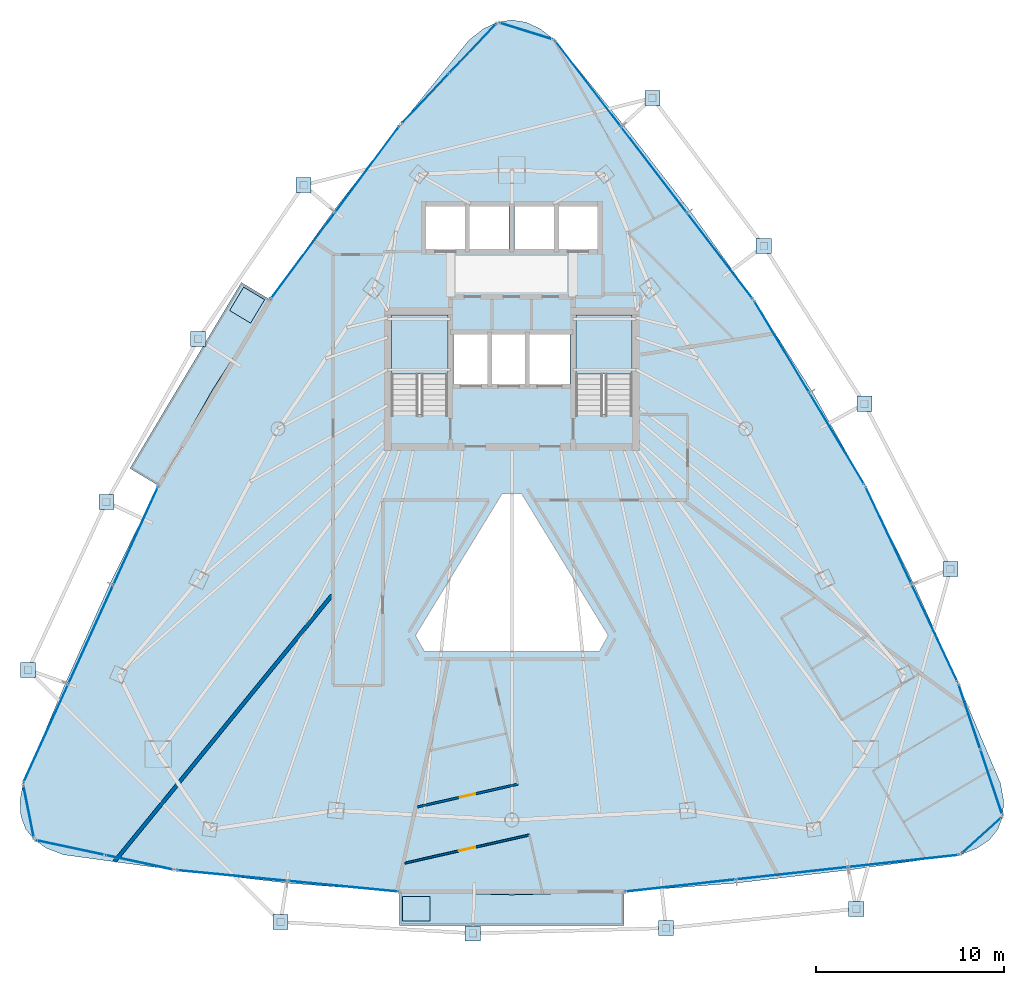
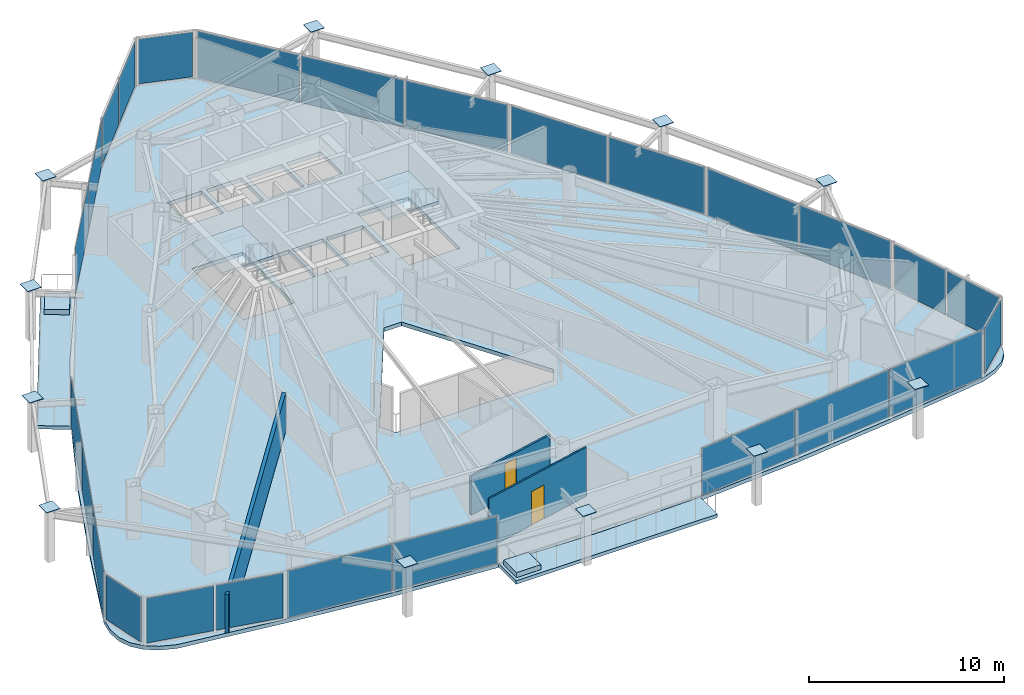
# One storey, part 27 of 33: 38 plates, 7 slabs, 3 walls, 2 doors, 2 openings, 15 elements without a shape of their own.
"""IFC4 building model written with IfcOpenShell, lengths in metres."""

from ifc_helpers import new_model, si_unit, direction, frame, frame_2d, origin, origin_2d, place, context, subcontext, project, spatial, polyline, rectangle, outline, extrude, material, layer, layer_set, type_object, element, fill, aggregate, save


model = new_model("IFC4")

# Units and contexts
model_context = context("Model", 3, precision=1e-05, world=origin(), true_north=direction((0.0, 1.0)))
body_context = subcontext(model_context, "Body", "Model", "MODEL_VIEW")
ifc_project = project(units=[si_unit("LENGTHUNIT", "METRE"), si_unit("AREAUNIT", "SQUARE_METRE"), si_unit("VOLUMEUNIT", "CUBIC_METRE"), si_unit("PLANEANGLEUNIT", "RADIAN"), si_unit("MASSUNIT", "GRAM", prefix="KILO")], contexts=[model_context])

# Site, building, storey
site_placement = place(None, origin())
site = spatial("IfcSite", under=ifc_project, at=site_placement, CompositionType="ELEMENT")
building_placement = place(site_placement, origin())
building = spatial("IfcBuilding", under=site, at=building_placement, Name="Orvanel Arch Residences", CompositionType="ELEMENT")
storey_placement = place(building_placement, frame((0.0, 0.0, 123.199951171875)))
storey = spatial("IfcBuildingStorey", under=building, at=storey_placement, Name="L34", CompositionType="ELEMENT", Elevation=123.199951171875)

# Plates
ifc_material_1 = material(Name="Structural steel AS/NZS 3678 Grade 350", Category="steel")
ifc_layer_1 = layer(ifc_material_1, 0.031982421875)
ifc_layer_set_1 = layer_set([ifc_layer_1], Name="Structural steel AS/NZS 3678 Grade 350")
plate_type_1 = type_object("IfcPlateType", Name="PL-CAP-32", PredefinedType="SHEET", material=ifc_layer_set_1)
for number, where, z_axis, x_axis, name in (
    (1, (21.929931640625, 40.595947265625, 3.2841796875), (0.0, 0.0, 1.0), (1.0, 0.0, 0.0), "L34 hollow member end cap plate"),
    (2, (16.327880859375, 32.4208984375, 3.2841796875), (0.0, 0.0, 1.0), (1.0, 0.0, 0.0), "L34 hollow member end cap plate"),
    (3, (11.449951171875, 23.757080078125, 3.2841796875), (0.0, 0.0, 1.0), (1.0, 0.0, 0.0), "L34 hollow member end cap plate"),
    (4, (7.29296875, 14.830078125, 3.2841796875), (0.0, 0.0, 1.0), (1.0, 0.0, 0.0), "L34 hollow member end cap plate"),
    (5, (20.70703125, 1.424072265625, 3.2841796875), (0.0, 0.0, 1.0), (1.0, 0.0, 0.0), "L34 hollow member end cap plate"),
    (6, (30.924072265625, 0.825927734375, 3.2841796875), (0.0, 0.0, 1.0), (1.0, 0.0, 0.0), "L34 hollow member end cap plate"),
    (7, (41.18701171875, 1.09912109375, 3.2841796875), (0.0, 0.0, 1.0), (1.0, 0.0, 0.0), "L34 hollow member end cap plate"),
    (8, (51.30908203125, 2.125, 3.2841796875), (0.0, 0.0, 1.0), (1.0, 0.0, 0.0), "L34 hollow member end cap plate"),
    (9, (56.31494140625, 20.181884765625, 3.2841796875), (0.0, 0.0, 1.0), (1.0, 0.0, 0.0), "L34 hollow member end cap plate"),
    (10, (51.739990234375, 28.972900390625, 3.2841796875), (0.0, 0.0, 1.0), (1.0, 0.0, 0.0), "L34 hollow member end cap plate"),
    (11, (46.39208984375, 37.35595703125, 3.2841796875), (0.0, 0.0, 1.0), (1.0, 0.0, 0.0), "L34 hollow member end cap plate"),
    (12, (40.47412109375, 45.22607421875, 3.2841796875), (0.0, 0.0, 1.0), (1.0, 0.0, 0.0), "L34 hollow member end cap plate"),
):
    element("IfcPlate", number, at=place(storey_placement, frame(where, z_axis=z_axis, x_axis=x_axis)), inside=storey, type_object=plate_type_1, Name=name, PredefinedType="SHEET", context=body_context, shape_type="SweptSolid", body=[
        extrude(rectangle(XDim=0.800048828125, YDim=0.800048828125, at=origin_2d()), origin(), (0.0, 0.0, 1.0), 0.031982421875),
    ])

# Curtain wall, plates
ifc_material_2 = material(Name="Bronze-anodised aluminium AA6063-T6", Category="aluminium")
ifc_layer_2 = layer(ifc_material_2, 0.179931640625)
ifc_layer_set_2 = layer_set([ifc_layer_2], Name="Bronze-anodised aluminium AA6063-T6")
curtain_wall_type_1 = type_object("IfcCurtainWallType", Name="CW3-MID-SYS", PredefinedType="NOTDEFINED", material=ifc_layer_set_2)
curtain_wall_1_placement = place(storey_placement, origin())
curtain_wall_1 = element("IfcCurtainWall", 13, at=curtain_wall_1_placement, inside=storey, type_object=curtain_wall_type_1, Name="L34 CW3-MID-SYS Unitised Curtain Wall", PredefinedType="NOTDEFINED")
ifc_material_3 = material(Name="Double-glazed solar-control low-E safety glass", Category="glass")
ifc_layer_3 = layer(ifc_material_3, 0.028076171875)
ifc_layer_set_3 = layer_set([ifc_layer_3], Name="Double-glazed solar-control low-E safety glass")
plate_type_2 = type_object("IfcPlateType", Name="PNL-GLZ-28", PredefinedType="CURTAIN_PANEL", material=ifc_layer_set_3)
plate_1_placement = place(storey_placement, frame((25.31982421875, 41.446044921875, 0.06005859375), z_axis=(0.0, 0.0, 1.0), x_axis=(-0.59716769739, -0.802116413742, 0.0)))
plate_1 = element("IfcPlate", 14, at=plate_1_placement, type_object=plate_type_2, Name="CW-S3 panel 1.1", PredefinedType="CURTAIN_PANEL", context=body_context, shape_type="SweptSolid", body=[
    extrude(rectangle(XDim=5.664794921875, YDim=0.028076171875, at=origin_2d()), origin(), (0.0, 0.0, 1.0), 2.93994140625),
])
plate_2_placement = place(storey_placement, frame((21.895263671875, 36.845947265625, 0.06005859375), z_axis=(0.0, 0.0, 1.0), x_axis=(-0.59716769739, -0.802116413742, 0.0)))
plate_2 = element("IfcPlate", 15, at=plate_2_placement, type_object=plate_type_2, Name="CW-S3 panel 2.1", PredefinedType="CURTAIN_PANEL", context=body_context, shape_type="SweptSolid", body=[
    extrude(rectangle(XDim=5.664794921875, YDim=0.028076171875, at=origin_2d()), origin(), (0.0, 0.0, 1.0), 2.93994140625),
])
aggregate(curtain_wall_1, [plate_1, plate_2])

curtain_wall_2_placement = place(storey_placement, origin())
curtain_wall_2 = element("IfcCurtainWall", 16, at=curtain_wall_2_placement, inside=storey, type_object=curtain_wall_type_1, Name="L34 CW3-MID-SYS Unitised Curtain Wall", PredefinedType="NOTDEFINED")
plate_3_placement = place(storey_placement, frame((13.010009765625, 21.955322265625, 0.06005859375), z_axis=(0.0, 0.0, 1.0), x_axis=(-0.414115489097, -0.9102243469, 0.0)))
plate_3 = element("IfcPlate", 17, at=plate_3_placement, type_object=plate_type_2, Name="CW-S3 panel 1.1", PredefinedType="CURTAIN_PANEL", context=body_context, shape_type="SweptSolid", body=[
    extrude(rectangle(XDim=5.679931640625, YDim=0.028076171875, at=origin_2d()), origin(), (0.0, 0.0, 1.0), 2.93994140625),
])
plate_4_placement = place(storey_placement, frame((10.62158203125, 16.70556640625, 0.06005859375), z_axis=(0.0, 0.0, 1.0), x_axis=(-0.414115489097, -0.9102243469, 0.0)))
plate_4 = element("IfcPlate", 18, at=plate_4_placement, type_object=plate_type_2, Name="CW-S3 panel 2.1", PredefinedType="CURTAIN_PANEL", context=body_context, shape_type="SweptSolid", body=[
    extrude(rectangle(XDim=5.715087890625, YDim=0.028076171875, at=origin_2d()), origin(), (0.0, 0.0, 1.0), 2.93994140625),
])
plate_5_placement = place(storey_placement, frame((8.233154296875, 11.455810546875, 0.06005859375), z_axis=(0.0, 0.0, 1.0), x_axis=(-0.414115489097, -0.9102243469, 0.0)))
plate_5 = element("IfcPlate", 19, at=plate_5_placement, type_object=plate_type_2, Name="CW-S3 panel 3.1", PredefinedType="CURTAIN_PANEL", context=body_context, shape_type="SweptSolid", body=[
    extrude(rectangle(XDim=5.679931640625, YDim=0.028076171875, at=origin_2d()), origin(), (0.0, 0.0, 1.0), 2.93994140625),
])
aggregate(curtain_wall_2, [plate_3, plate_4, plate_5])

curtain_wall_3_placement = place(storey_placement, origin())
curtain_wall_3 = element("IfcCurtainWall", 20, at=curtain_wall_3_placement, inside=storey, type_object=curtain_wall_type_1, Name="L34 CW3-MID-SYS Unitised Curtain Wall", PredefinedType="NOTDEFINED")
plate_6_placement = place(storey_placement, frame((18.130615234375, 3.894287109375, 0.06005859375), z_axis=(0.0, 0.0, 1.0), x_axis=(0.995361152197, -0.09620902607, 0.0)))
plate_6 = element("IfcPlate", 21, at=plate_6_placement, type_object=plate_type_2, Name="CW-S3 panel 1.1", PredefinedType="CURTAIN_PANEL", context=body_context, shape_type="SweptSolid", body=[
    extrude(rectangle(XDim=5.861083984375, YDim=0.028076171875, at=origin_2d()), origin(), (0.0, 0.0, 1.0), 2.93994140625),
])
plate_7_placement = place(storey_placement, frame((24.034423828125, 3.32373046875, 0.06005859375), z_axis=(0.0, 0.0, 1.0), x_axis=(0.995361152197, -0.09620902607, 0.0)))
plate_7 = element("IfcPlate", 22, at=plate_7_placement, type_object=plate_type_2, Name="CW-S3 panel 2.1", PredefinedType="CURTAIN_PANEL", context=body_context, shape_type="SweptSolid", body=[
    extrude(rectangle(XDim=5.861083984375, YDim=0.028076171875, at=origin_2d()), origin(), (0.0, 0.0, 1.0), 2.93994140625),
])
aggregate(curtain_wall_3, [plate_6, plate_7])

curtain_wall_4_placement = place(storey_placement, origin())
curtain_wall_4 = element("IfcCurtainWall", 23, at=curtain_wall_4_placement, inside=storey, type_object=curtain_wall_type_1, Name="L34 CW3-MID-SYS Unitised Curtain Wall", PredefinedType="NOTDEFINED")
plate_8_placement = place(storey_placement, frame((41.968994140625, 3.364013671875, 0.06005859375), z_axis=(0.0, 0.0, 1.0), x_axis=(0.99399805501, 0.109397745116, 0.0)))
plate_8 = element("IfcPlate", 24, at=plate_8_placement, type_object=plate_type_2, Name="CW-S3 panel 1.1", PredefinedType="CURTAIN_PANEL", context=body_context, shape_type="SweptSolid", body=[
    extrude(rectangle(XDim=5.876220703125, YDim=0.028076171875, at=origin_2d()), origin(), (0.0, 0.0, 1.0), 2.93994140625),
])
plate_9_placement = place(storey_placement, frame((47.89697265625, 4.0166015625, 0.06005859375), z_axis=(0.0, 0.0, 1.0), x_axis=(0.99399805501, 0.109397745116, 0.0)))
plate_9 = element("IfcPlate", 25, at=plate_9_placement, type_object=plate_type_2, Name="CW-S3 panel 2.1", PredefinedType="CURTAIN_PANEL", context=body_context, shape_type="SweptSolid", body=[
    extrude(rectangle(XDim=5.9111328125, YDim=0.028076171875, at=origin_2d()), origin(), (0.0, 0.0, 1.0), 2.93994140625),
])
plate_10_placement = place(storey_placement, frame((53.824951171875, 4.6689453125, 0.06005859375), z_axis=(0.0, 0.0, 1.0), x_axis=(0.99399805501, 0.109397745116, 0.0)))
plate_10 = element("IfcPlate", 26, at=plate_10_placement, type_object=plate_type_2, Name="CW-S3 panel 3.1", PredefinedType="CURTAIN_PANEL", context=body_context, shape_type="SweptSolid", body=[
    extrude(rectangle(XDim=5.876220703125, YDim=0.028076171875, at=origin_2d()), origin(), (0.0, 0.0, 1.0), 2.93994140625),
])
aggregate(curtain_wall_4, [plate_8, plate_9, plate_10])

curtain_wall_5_placement = place(storey_placement, origin())
curtain_wall_5 = element("IfcCurtainWall", 27, at=curtain_wall_5_placement, inside=storey, type_object=curtain_wall_type_1, Name="L34 CW3-MID-SYS Unitised Curtain Wall", PredefinedType="NOTDEFINED")
plate_11_placement = place(storey_placement, frame((55.468505859375, 16.791259765625, 0.06005859375), z_axis=(0.0, 0.0, 1.0), x_axis=(-0.426364535184, 0.904551426474, 0.0)))
plate_11 = element("IfcPlate", 28, at=plate_11_placement, type_object=plate_type_2, Name="CW-S3 panel 1.1", PredefinedType="CURTAIN_PANEL", context=body_context, shape_type="SweptSolid", body=[
    extrude(rectangle(XDim=5.664794921875, YDim=0.028076171875, at=origin_2d()), origin(), (0.0, 0.0, 1.0), 2.93994140625),
])
plate_12_placement = place(storey_placement, frame((53.0234375, 21.978759765625, 0.06005859375), z_axis=(0.0, 0.0, 1.0), x_axis=(-0.426364535184, 0.904551426474, 0.0)))
plate_12 = element("IfcPlate", 29, at=plate_12_placement, type_object=plate_type_2, Name="CW-S3 panel 2.1", PredefinedType="CURTAIN_PANEL", context=body_context, shape_type="SweptSolid", body=[
    extrude(rectangle(XDim=5.664794921875, YDim=0.028076171875, at=origin_2d()), origin(), (0.0, 0.0, 1.0), 2.93994140625),
])
aggregate(curtain_wall_5, [plate_11, plate_12])

curtain_wall_6_placement = place(storey_placement, origin())
curtain_wall_6 = element("IfcCurtainWall", 30, at=curtain_wall_6_placement, inside=storey, type_object=curtain_wall_type_1, Name="L34 CW3-MID-SYS Unitised Curtain Wall", PredefinedType="NOTDEFINED")
plate_13_placement = place(storey_placement, frame((50.28125, 27.115478515625, 0.06005859375), z_axis=(0.0, 0.0, 1.0), x_axis=(-0.514457331608, 0.857515978834, 0.0)))
plate_13 = element("IfcPlate", 31, at=plate_13_placement, type_object=plate_type_2, Name="CW-S3 panel 1.1", PredefinedType="CURTAIN_PANEL", context=body_context, shape_type="SweptSolid", body=[
    extrude(rectangle(XDim=5.635986328125, YDim=0.028076171875, at=origin_2d()), origin(), (0.0, 0.0, 1.0), 2.93994140625),
])
plate_14_placement = place(storey_placement, frame((47.345703125, 32.008544921875, 0.06005859375), z_axis=(0.0, 0.0, 1.0), x_axis=(-0.514457331608, 0.857515978834, 0.0)))
plate_14 = element("IfcPlate", 32, at=plate_14_placement, type_object=plate_type_2, Name="CW-S3 panel 2.1", PredefinedType="CURTAIN_PANEL", context=body_context, shape_type="SweptSolid", body=[
    extrude(rectangle(XDim=5.635986328125, YDim=0.028076171875, at=origin_2d()), origin(), (0.0, 0.0, 1.0), 2.93994140625),
])
aggregate(curtain_wall_6, [plate_13, plate_14])

curtain_wall_7_placement = place(storey_placement, origin())
curtain_wall_7 = element("IfcCurtainWall", 33, at=curtain_wall_7_placement, inside=storey, type_object=curtain_wall_type_1, Name="L34 CW3-MID-SYS Unitised Curtain Wall", PredefinedType="NOTDEFINED")
plate_15_placement = place(storey_placement, frame((44.068603515625, 36.828125, 0.06005859375), z_axis=(0.0, 0.0, 1.0), x_axis=(-0.608091558713, 0.793866900823, 0.0)))
plate_15 = element("IfcPlate", 34, at=plate_15_placement, type_object=plate_type_2, Name="CW-S3 panel 1.1", PredefinedType="CURTAIN_PANEL", context=body_context, shape_type="SweptSolid", body=[
    extrude(rectangle(XDim=5.6796875, YDim=0.028076171875, at=origin_2d()), origin(), (0.0, 0.0, 1.0), 2.93994140625),
])
plate_16_placement = place(storey_placement, frame((40.5615234375, 41.406494140625, 0.06005859375), z_axis=(0.0, 0.0, 1.0), x_axis=(-0.608091558713, 0.793866900823, 0.0)))
plate_16 = element("IfcPlate", 35, at=plate_16_placement, type_object=plate_type_2, Name="CW-S3 panel 2.1", PredefinedType="CURTAIN_PANEL", context=body_context, shape_type="SweptSolid", body=[
    extrude(rectangle(XDim=5.71484375, YDim=0.028076171875, at=origin_2d()), origin(), (0.0, 0.0, 1.0), 2.93994140625),
])
plate_17_placement = place(storey_placement, frame((37.054443359375, 45.98486328125, 0.06005859375), z_axis=(0.0, 0.0, 1.0), x_axis=(-0.608091558713, 0.793866900823, 0.0)))
plate_17 = element("IfcPlate", 36, at=plate_17_placement, type_object=plate_type_2, Name="CW-S3 panel 3.1", PredefinedType="CURTAIN_PANEL", context=body_context, shape_type="SweptSolid", body=[
    extrude(rectangle(XDim=5.6796875, YDim=0.028076171875, at=origin_2d()), origin(), (0.0, 0.0, 1.0), 2.93994140625),
])
aggregate(curtain_wall_7, [plate_15, plate_16, plate_17])

# Curtain wall, plate
ifc_layer_4 = layer(ifc_material_2, 0.18994140625)
ifc_layer_set_4 = layer_set([ifc_layer_4], Name="Bronze-anodised aluminium AA6063-T6")
curtain_wall_type_2 = type_object("IfcCurtainWallType", Name="CW5-CRN-SYS", PredefinedType="NOTDEFINED", material=ifc_layer_set_4)
curtain_wall_8_placement = place(storey_placement, origin())
curtain_wall_8 = element("IfcCurtainWall", 37, at=curtain_wall_8_placement, inside=storey, type_object=curtain_wall_type_2, Name="L34 CW5-CRN-SYS Unitised Curtain Wall", PredefinedType="NOTDEFINED")
ifc_layer_5 = layer(ifc_material_3, 0.031982421875)
ifc_layer_set_5 = layer_set([ifc_layer_5], Name="Double-glazed solar-control low-E safety glass")
plate_type_3 = type_object("IfcPlateType", Name="PNL-GLZ-32", PredefinedType="CURTAIN_PANEL", material=ifc_layer_set_5)
plate_18_placement = place(storey_placement, frame((33.757568359375, 48.782470703125, 0.1298828125), z_axis=(0.0, 0.0, 1.0), x_axis=(-0.954870852433, 0.297021304243, 0.0)))
plate_18 = element("IfcPlate", 38, at=plate_18_placement, type_object=plate_type_3, Name="CW-S5 panel 1.1", PredefinedType="CURTAIN_PANEL", context=body_context, shape_type="SweptSolid", body=[
    extrude(rectangle(XDim=2.83447265625, YDim=0.031982421875, at=origin_2d()), origin(), (0.0, 0.0, 1.0), 2.800048828125),
])
aggregate(curtain_wall_8, [plate_18])

# Curtain wall, plates
curtain_wall_9_placement = place(storey_placement, origin())
curtain_wall_9 = element("IfcCurtainWall", 39, at=curtain_wall_9_placement, inside=storey, type_object=curtain_wall_type_2, Name="L34 CW5-CRN-SYS Unitised Curtain Wall", PredefinedType="NOTDEFINED")
plate_19_placement = place(storey_placement, frame((30.9150390625, 47.853271484375, 0.1298828125), z_axis=(0.0, 0.0, 1.0), x_axis=(-0.687815043505, -0.725885986866, 0.0)))
plate_19 = element("IfcPlate", 40, at=plate_19_placement, type_object=plate_type_3, Name="CW-S5 panel 1.1", PredefinedType="CURTAIN_PANEL", context=body_context, shape_type="SweptSolid", body=[
    extrude(rectangle(XDim=3.51806640625, YDim=0.031982421875, at=origin_2d()), origin(), (0.0, 0.0, 1.0), 2.800048828125),
])
plate_20_placement = place(storey_placement, frame((28.39208984375, 45.190673828125, 0.1298828125), z_axis=(0.0, 0.0, 1.0), x_axis=(-0.687815043505, -0.725885986866, 0.0)))
plate_20 = element("IfcPlate", 41, at=plate_20_placement, type_object=plate_type_3, Name="CW-S5 panel 2.1", PredefinedType="CURTAIN_PANEL", context=body_context, shape_type="SweptSolid", body=[
    extrude(rectangle(XDim=3.51806640625, YDim=0.031982421875, at=origin_2d()), origin(), (0.0, 0.0, 1.0), 2.800048828125),
])
aggregate(curtain_wall_9, [plate_19, plate_20])

# Curtain wall, plate
curtain_wall_10_placement = place(storey_placement, origin())
curtain_wall_10 = element("IfcCurtainWall", 42, at=curtain_wall_10_placement, inside=storey, type_object=curtain_wall_type_2, Name="L34 CW5-CRN-SYS Unitised Curtain Wall", PredefinedType="NOTDEFINED")
plate_21_placement = place(storey_placement, frame((7.318603515625, 7.2900390625, 0.1298828125), z_axis=(0.0, 0.0, 1.0), x_axis=(0.195287172151, -0.98074610394, 0.0)))
plate_21 = element("IfcPlate", 43, at=plate_21_placement, type_object=plate_type_3, Name="CW-S5 panel 1.1", PredefinedType="CURTAIN_PANEL", context=body_context, shape_type="SweptSolid", body=[
    extrude(rectangle(XDim=2.716064453125, YDim=0.031982421875, at=origin_2d()), origin(), (0.0, 0.0, 1.0), 2.800048828125),
])
aggregate(curtain_wall_10, [plate_21])

# Curtain wall, plates
curtain_wall_11_placement = place(storey_placement, origin())
curtain_wall_11 = element("IfcCurtainWall", 44, at=curtain_wall_11_placement, inside=storey, type_object=curtain_wall_type_2, Name="L34 CW5-CRN-SYS Unitised Curtain Wall", PredefinedType="NOTDEFINED")
plate_22_placement = place(storey_placement, frame((9.54052734375, 5.379638671875, 0.1298828125), z_axis=(0.0, 0.0, 1.0), x_axis=(0.977857956669, -0.20926972208, 0.0)))
plate_22 = element("IfcPlate", 45, at=plate_22_placement, type_object=plate_type_3, Name="CW-S5 panel 1.1", PredefinedType="CURTAIN_PANEL", context=body_context, shape_type="SweptSolid", body=[
    extrude(rectangle(XDim=3.593017578125, YDim=0.031982421875, at=origin_2d()), origin(), (0.0, 0.0, 1.0), 2.800048828125),
])
plate_23_placement = place(storey_placement, frame((13.20068359375, 4.596435546875, 0.1298828125), z_axis=(0.0, 0.0, 1.0), x_axis=(0.977857956669, -0.20926972208, 0.0)))
plate_23 = element("IfcPlate", 46, at=plate_23_placement, type_object=plate_type_3, Name="CW-S5 panel 2.1", PredefinedType="CURTAIN_PANEL", context=body_context, shape_type="SweptSolid", body=[
    extrude(rectangle(XDim=3.593017578125, YDim=0.031982421875, at=origin_2d()), origin(), (0.0, 0.0, 1.0), 2.800048828125),
])
aggregate(curtain_wall_11, [plate_22, plate_23])

# Curtain wall, plate
curtain_wall_12_placement = place(storey_placement, origin())
curtain_wall_12 = element("IfcCurtainWall", 47, at=curtain_wall_12_placement, inside=storey, type_object=curtain_wall_type_2, Name="L34 CW5-CRN-SYS Unitised Curtain Wall", PredefinedType="NOTDEFINED")
plate_24_placement = place(storey_placement, frame((57.966064453125, 6.027099609375, 0.1298828125), z_axis=(0.0, 0.0, 1.0), x_axis=(0.740120098488, 0.672474713141, 0.0)))
plate_24 = element("IfcPlate", 48, at=plate_24_placement, type_object=plate_type_3, Name="CW-S5 panel 1.1", PredefinedType="CURTAIN_PANEL", context=body_context, shape_type="SweptSolid", body=[
    extrude(rectangle(XDim=2.7158203125, YDim=0.031982421875, at=origin_2d()), origin(), (0.0, 0.0, 1.0), 2.800048828125),
])
aggregate(curtain_wall_12, [plate_24])

# Curtain wall, plates
curtain_wall_13_placement = place(storey_placement, origin())
curtain_wall_13 = element("IfcCurtainWall", 49, at=curtain_wall_13_placement, inside=storey, type_object=curtain_wall_type_2, Name="L34 CW5-CRN-SYS Unitised Curtain Wall", PredefinedType="NOTDEFINED")
plate_25_placement = place(storey_placement, frame((58.486572265625, 8.87255859375, 0.1298828125), z_axis=(0.0, 0.0, 1.0), x_axis=(-0.318403361888, 0.947955325497, 0.0)))
plate_25 = element("IfcPlate", 50, at=plate_25_placement, type_object=plate_type_3, Name="CW-S5 panel 1.1", PredefinedType="CURTAIN_PANEL", context=body_context, shape_type="SweptSolid", body=[
    extrude(rectangle(XDim=3.49658203125, YDim=0.031982421875, at=origin_2d()), origin(), (0.0, 0.0, 1.0), 2.800048828125),
])
plate_26_placement = place(storey_placement, frame((57.325439453125, 12.329345703125, 0.1298828125), z_axis=(0.0, 0.0, 1.0), x_axis=(-0.318403361888, 0.947955325497, 0.0)))
plate_26 = element("IfcPlate", 51, at=plate_26_placement, type_object=plate_type_3, Name="CW-S5 panel 2.1", PredefinedType="CURTAIN_PANEL", context=body_context, shape_type="SweptSolid", body=[
    extrude(rectangle(XDim=3.49658203125, YDim=0.031982421875, at=origin_2d()), origin(), (0.0, 0.0, 1.0), 2.800048828125),
])
aggregate(curtain_wall_13, [plate_25, plate_26])

# Slabs
ifc_material_4 = material(Name="Concrete N40 (40 MPa)", Category="concrete")
ifc_layer_6 = layer(ifc_material_4, 0.215087890625)
ifc_layer_set_6 = layer_set([ifc_layer_6], Name="Concrete N40 (40 MPa)")
slab_type_1 = type_object("IfcSlabType", Name="SLB-BAL-215", PredefinedType="FLOOR", material=ifc_layer_set_6)
slab_1_placement = place(storey_placement, frame((0.0, 0.0, -0.21484375)))
element("IfcSlab", 52, at=slab_1_placement, inside=storey, type_object=slab_type_1, Name="L34 Cantilevered Balcony Slab Face 1", PredefinedType="FLOOR", context=body_context, shape_type="SweptSolid", body=[
    extrude(outline(polyline([(18.6240234375, 35.41796875), (12.697021484375, 25.537109375), (14.222900390625, 24.6220703125), (17.047119140625, 29.64501953125), (20.14990234375, 34.501953125), (18.6240234375, 35.41796875)])), origin(), (0.0, 0.0, 1.0), 0.21484375),
])
slab_2_placement = place(storey_placement, frame((0.0, 0.0, -0.21484375)))
element("IfcSlab", 53, at=slab_2_placement, inside=storey, type_object=slab_type_1, Name="L34 Cantilevered Balcony Slab Face 2", PredefinedType="FLOOR", context=body_context, shape_type="SweptSolid", body=[
    extrude(outline(polyline([(27.041015625, 1.2529296875), (38.958984375, 1.2529296875), (38.958984375, 3.032958984375), (33.0, 2.8701171875), (27.041015625, 3.032958984375), (27.041015625, 1.2529296875)])), origin(), (0.0, 0.0, 1.0), 0.21484375),
])

# Stair, slab
ifc_material_5 = material(Name="Precast concrete N50 (50 MPa)", Category="concrete")
stair_type = type_object("IfcStairType", Name="STR-DOG-184", PredefinedType="USERDEFINED", material=ifc_material_5)
stair_1_placement = place(storey_placement, origin())
stair_1 = element("IfcStair", 54, at=stair_1_placement, inside=storey, type_object=stair_type, Name="L34 Fire-Isolated Core Exit Stair 1", ObjectType="TWO_RETURN_STAIR", PredefinedType="USERDEFINED")
ifc_layer_7 = layer(ifc_material_4, 0.199951171875)
ifc_layer_set_7 = layer_set([ifc_layer_7], Name="Concrete N40 (40 MPa)")
slab_type_2 = type_object("IfcSlabType", Name="SLB-LND-200", PredefinedType="LANDING", material=ifc_layer_set_7)
slab_3_placement = place(storey_placement, frame((0.0, 0.0, 1.449951171875)))
slab_3 = element("IfcSlab", 55, at=slab_3_placement, type_object=slab_type_2, Name="ST-1 landing 1", PredefinedType="LANDING", context=body_context, shape_type="SweptSolid", body=[
    extrude(outline(polyline([(29.60009765625, 30.56005859375), (29.60009765625, 33.699951171875), (26.60009765625, 33.699951171875), (26.60009765625, 30.56005859375), (29.60009765625, 30.56005859375)])), origin(), (0.0, 0.0, 1.0), 0.2001953125),
])
aggregate(stair_1, [slab_3])

stair_2_placement = place(storey_placement, origin())
stair_2 = element("IfcStair", 56, at=stair_2_placement, inside=storey, type_object=stair_type, Name="L34 Fire-Isolated Core Exit Stair 2", ObjectType="TWO_RETURN_STAIR", PredefinedType="USERDEFINED")
slab_4_placement = place(storey_placement, frame((0.0, 0.0, 1.449951171875)))
slab_4 = element("IfcSlab", 57, at=slab_4_placement, type_object=slab_type_2, Name="ST-2 landing 1", PredefinedType="LANDING", context=body_context, shape_type="SweptSolid", body=[
    extrude(outline(polyline([(39.39990234375, 30.56005859375), (39.39990234375, 33.699951171875), (36.39990234375, 33.699951171875), (36.39990234375, 30.56005859375), (39.39990234375, 30.56005859375)])), origin(), (0.0, 0.0, 1.0), 0.2001953125),
])
aggregate(stair_2, [slab_4])

# Slabs
ifc_material_6 = material(Name="Structural architectural precast concrete N40 (40 MPa) planter", Category="concrete")
ifc_layer_8 = layer(ifc_material_6, 0.320068359375)
ifc_layer_set_8 = layer_set([ifc_layer_8], Name="Structural architectural precast concrete N40 (40 MPa) planter")
slab_type_3 = type_object("IfcSlabType", Name="SLB-PLN-320", PredefinedType="USERDEFINED", material=ifc_layer_set_8)
slab_5_placement = place(storey_placement, origin())
element("IfcSlab", 58, at=slab_5_placement, inside=storey, type_object=slab_type_3, Name="L34 Balcony TREE PLANTER Face 1", ObjectType="PLANTER", PredefinedType="USERDEFINED", context=body_context, shape_type="SweptSolid", body=[
    extrude(outline(polyline([(18.743896484375, 35.1708984375), (17.998046875, 33.927978515625), (19.113037109375, 33.259033203125), (19.85791015625, 34.501953125), (18.743896484375, 35.1708984375)])), origin(), (0.0, 0.0, 1.0), 0.320068359375),
])
slab_6_placement = place(storey_placement, origin())
element("IfcSlab", 59, at=slab_6_placement, inside=storey, type_object=slab_type_3, Name="L34 Balcony TREE PLANTER Face 2", ObjectType="PLANTER", PredefinedType="USERDEFINED", context=body_context, shape_type="SweptSolid", body=[
    extrude(outline(polyline([(27.19091796875, 1.48291015625), (28.64111328125, 1.48291015625), (28.64111328125, 2.782958984375), (27.19091796875, 2.782958984375), (27.19091796875, 1.48291015625)])), origin(), (0.0, 0.0, 1.0), 0.320068359375),
])
ifc_layer_9 = layer(ifc_material_4, 0.239990234375)
ifc_layer_set_9 = layer_set([ifc_layer_9], Name="Concrete N40 (40 MPa)")
slab_type_4 = type_object("IfcSlabType", Name="SLB-TYP-240", PredefinedType="FLOOR", material=ifc_layer_set_9)
slab_7_placement = place(storey_placement, frame((0.0, 0.0, -0.239990234375)))
element("IfcSlab", 60, at=slab_7_placement, inside=storey, type_object=slab_type_4, Name="L34 Tower Floor Slab", PredefinedType="FLOOR", context=body_context, shape_type="SweptSolid", body=[
    extrude(outline(polyline([(35.27294921875, 48.31103515625), (34.514892578125, 48.90087890625), (33.758056640625, 49.25390625), (33.0, 49.3720703125), (32.241943359375, 49.25390625), (31.485107421875, 48.90087890625), (30.72705078125, 48.31103515625), (27.06494140625, 43.7900390625), (23.509033203125, 39.205078125), (20.14990234375, 34.501953125), (17.047119140625, 29.64501953125), (14.222900390625, 24.6220703125), (11.655029296875, 19.444091796875), (9.283935546875, 14.14794921875), (7.02001953125, 8.7890625), (6.85693359375, 7.862060546875), (6.902099609375, 7.053955078125), (7.156005859375, 6.364013671875), (7.616943359375, 5.791015625), (8.287109375, 5.3369140625), (9.1650390625, 5.0), (15.1240234375, 4.18505859375), (21.0830078125, 3.493896484375), (27.041015625, 3.032958984375), (33.0, 2.8701171875), (38.958984375, 3.032958984375), (44.9169921875, 3.493896484375), (50.8759765625, 4.18505859375), (56.8349609375, 5.0), (57.712890625, 5.3369140625), (58.383056640625, 5.791015625), (58.843994140625, 6.364013671875), (59.096923828125, 7.053955078125), (59.14306640625, 7.862060546875), (58.97998046875, 8.7890625), (56.715087890625, 14.14794921875), (54.343994140625, 19.444091796875), (51.777099609375, 24.6220703125), (48.952880859375, 29.64501953125), (45.85009765625, 34.501953125), (42.490966796875, 39.205078125), (38.93505859375, 43.7900390625), (35.27294921875, 48.31103515625)]), holes=[polyline([(26.60009765625, 28.429931640625), (26.60009765625, 33.699951171875), (29.60009765625, 33.699951171875), (29.60009765625, 28.429931640625), (26.60009765625, 28.429931640625)]), polyline([(36.39990234375, 28.429931640625), (36.39990234375, 33.699951171875), (39.39990234375, 33.699951171875), (39.39990234375, 28.429931640625), (36.39990234375, 28.429931640625)]), polyline([(29.89990234375, 32.64990234375), (31.75, 32.64990234375), (31.75, 29.949951171875), (29.89990234375, 29.949951171875), (29.89990234375, 32.64990234375)]), polyline([(31.89990234375, 32.64990234375), (33.75, 32.64990234375), (33.75, 29.949951171875), (31.89990234375, 29.949951171875), (31.89990234375, 32.64990234375)]), polyline([(33.89990234375, 32.64990234375), (36.10009765625, 32.64990234375), (36.10009765625, 29.949951171875), (33.89990234375, 29.949951171875), (33.89990234375, 32.64990234375)]), polyline([(28.449951171875, 39.449951171875), (30.5, 39.449951171875), (30.5, 37.199951171875), (28.449951171875, 37.199951171875), (28.449951171875, 39.449951171875)]), polyline([(35.5, 39.449951171875), (37.550048828125, 39.449951171875), (37.550048828125, 37.199951171875), (35.5, 37.199951171875), (35.5, 39.449951171875)]), polyline([(30.75, 39.449951171875), (32.85009765625, 39.449951171875), (32.85009765625, 37.199951171875), (30.75, 37.199951171875), (30.75, 39.449951171875)]), polyline([(33.14990234375, 39.449951171875), (35.25, 39.449951171875), (35.25, 37.199951171875), (33.14990234375, 37.199951171875), (33.14990234375, 39.449951171875)]), polyline([(38.131103515625, 16.656982421875), (37.654052734375, 15.805908203125), (28.345947265625, 15.805908203125), (27.868896484375, 16.656982421875), (32.47998046875, 24.198974609375), (33.52001953125, 24.198974609375), (38.131103515625, 16.656982421875)])]), origin(), (0.0, 0.0, 1.0), 0.239990234375),
])

# Wall
ifc_material_7 = material(Name="Fire-rated plasterboard lined steel stud partition", Category="steel")
ifc_layer_10 = layer(ifc_material_7, 0.199951171875)
ifc_layer_set_10 = layer_set([ifc_layer_10], Name="Fire-rated plasterboard lined steel stud partition")
wall_type_1 = type_object("IfcWallType", Name="W-DEM-200", PredefinedType="PARTITIONING", material=ifc_layer_set_10)
wall_1_placement = place(storey_placement, frame((23.43994140625, 18.7939453125, 0.0), z_axis=(0.0, 0.0, 1.0), x_axis=(-0.632525219644, -0.774539764321, 0.0)))
element("IfcWall", 61, at=wall_1_placement, inside=storey, type_object=wall_type_1, Name="L34 Inter-Tenancy Acoustic Demising Wall", PredefinedType="PARTITIONING", context=body_context, shape_type="SweptSolid", body=[
    extrude(rectangle(XDim=18.2724609375, YDim=0.199951171875, at=frame_2d((9.13623046875, 0.0))), origin(), (0.0, 0.0, 1.0), 2.4130859375),
])

# Wall, opening, door
ifc_material_8 = material(Name="Acoustic plasterboard lined twin-stud partition", Category="gypsum")
ifc_layer_11 = layer(ifc_material_8, 0.10009765625)
ifc_layer_set_11 = layer_set([ifc_layer_11], Name="Acoustic plasterboard lined twin-stud partition")
wall_type_2 = type_object("IfcWallType", Name="W-INT-100", PredefinedType="PARTITIONING", material=ifc_layer_set_11)
wall_2_placement = place(storey_placement, frame((33.93505859375, 6.053955078125, 0.0), z_axis=(0.0, 0.0, 1.0), x_axis=(-0.975244308244, -0.221130140952, 0.0)))
wall_2 = element("IfcWall", 62, at=wall_2_placement, inside=storey, type_object=wall_type_2, Name="L34 Studio C Internal Partition", PredefinedType="PARTITIONING", context=body_context, shape_type="SweptSolid", body=[
    extrude(rectangle(XDim=6.792236328125, YDim=0.10009765625, at=frame_2d((3.39599609375, 0.0))), origin(), (0.0, 0.0, 1.0), 3.06005859375),
])
opening_1_placement = place(wall_2_placement, frame((2.9560546875, 0.0, 0.0)))
opening_1 = element("IfcOpeningElement", 63, at=opening_1_placement, cuts=wall_2, Name="Opening DI-088", PredefinedType="OPENING", context=body_context, shape_type="SweptSolid", body=[
    extrude(rectangle(XDim=0.8798828125, YDim=2.10009765625, at=frame_2d((0.43994140625, 1.050048828125))), frame((0.0, 0.06005859375, 0.0), z_axis=(0.0, -1.0, 0.0), x_axis=(1.0, 0.0, 0.0)), (0.0, 0.0, 1.0), 0.1201171875),
])
ifc_material_9 = material(Name="Solid-core European oak veneer fire door leaf", Category="wood")
door_type_1 = type_object("IfcDoorType", Name="DR-INT-880", OperationType="NOTDEFINED", PredefinedType="DOOR", material=ifc_material_9)
door_1_placement = place(opening_1_placement, origin())
door_1 = element("IfcDoor", 64, at=door_1_placement, inside=storey, type_object=door_type_1, Name="DR-L34-C-OFC1 L34 Studio C Home Work Office 2 Door", OperationType="SINGLE_SWING_LEFT", OverallHeight=2.10009765625, OverallWidth=0.8798828125, PredefinedType="DOOR", context=body_context, shape_type="SweptSolid", body=[
    extrude(rectangle(XDim=0.8798828125, YDim=2.10009765625, at=frame_2d((0.43994140625, 1.050048828125))), frame((0.0, 0.02490234375, 0.0), z_axis=(0.0, -1.0, 0.0), x_axis=(1.0, 0.0, 0.0)), (0.0, 0.0, 1.0), 0.050048828125),
])
fill(opening_1, door_1)

ifc_layer_12 = layer(ifc_material_8, 0.1201171875)
ifc_layer_set_12 = layer_set([ifc_layer_12], Name="Acoustic plasterboard lined twin-stud partition")
wall_type_3 = type_object("IfcWallType", Name="W-WET-120", PredefinedType="PARTITIONING", material=ifc_layer_set_12)
wall_3_placement = place(storey_placement, frame((27.97607421875, 7.5400390625, 0.0), z_axis=(0.0, 0.0, 1.0), x_axis=(0.975262605336, 0.221049430295, 0.0)))
wall_3 = element("IfcWall", 65, at=wall_3_placement, inside=storey, type_object=wall_type_3, Name="L34 Studio C Bathroom Partition", PredefinedType="PARTITIONING", context=body_context, shape_type="SweptSolid", body=[
    extrude(rectangle(XDim=5.482666015625, YDim=0.1201171875, at=frame_2d((2.7412109375, 0.0))), origin(), (0.0, 0.0, 1.0), 2.4130859375),
])
opening_2_placement = place(wall_3_placement, frame((2.3310546875, 0.0, 0.0)))
opening_2 = element("IfcOpeningElement", 66, at=opening_2_placement, cuts=wall_3, Name="Opening DW-082", PredefinedType="OPENING", context=body_context, shape_type="SweptSolid", body=[
    extrude(rectangle(XDim=0.820068359375, YDim=2.10009765625, at=frame_2d((0.41015625, 1.050048828125))), frame((0.0, 0.070068359375, 0.0), z_axis=(0.0, -1.0, 0.0), x_axis=(1.0, 0.0, 0.0)), (0.0, 0.0, 1.0), 0.14013671875),
])
door_type_2 = type_object("IfcDoorType", Name="DR-WET-820", OperationType="NOTDEFINED", PredefinedType="DOOR", material=ifc_material_9)
door_2_placement = place(opening_2_placement, origin())
door_2 = element("IfcDoor", 67, at=door_2_placement, inside=storey, type_object=door_type_2, Name="DR-L34-C-BATH L34 Studio C Bathroom Door", OperationType="SINGLE_SWING_RIGHT", OverallHeight=2.10009765625, OverallWidth=0.820068359375, PredefinedType="DOOR", context=body_context, shape_type="SweptSolid", body=[
    extrude(rectangle(XDim=0.820068359375, YDim=2.10009765625, at=frame_2d((0.41015625, 1.050048828125))), frame((0.0, 0.02490234375, 0.0), z_axis=(0.0, -1.0, 0.0), x_axis=(1.0, 0.0, 0.0)), (0.0, 0.0, 1.0), 0.050048828125),
])
fill(opening_2, door_2)

save(model, "model.ifc")
